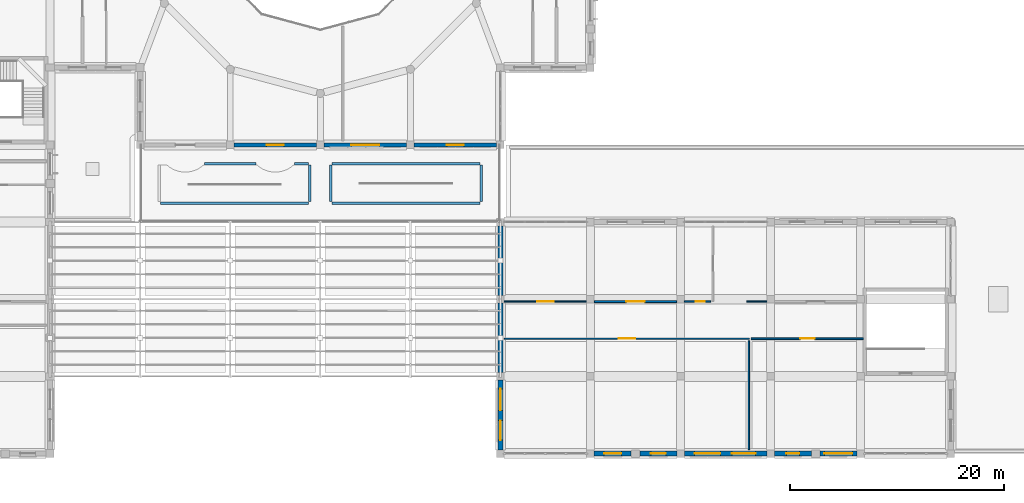
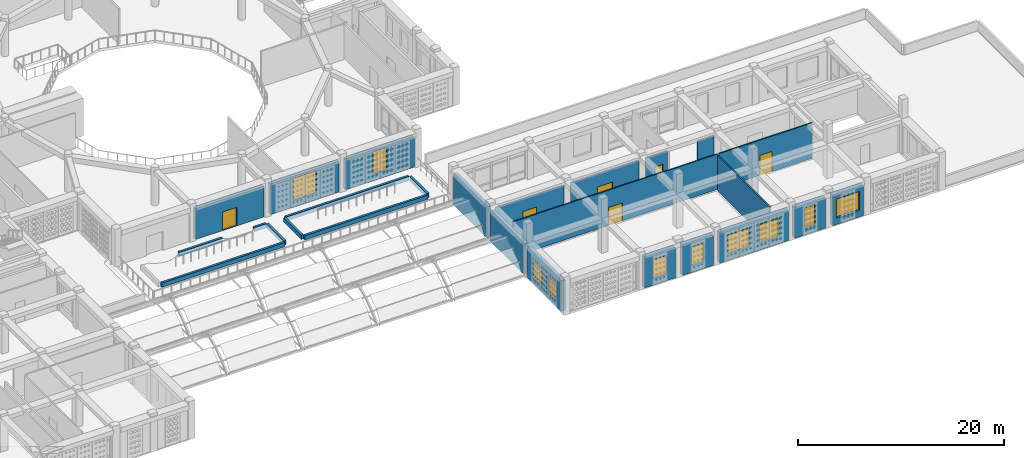
# One storey, part 58 of 100: 26 walls, 10 windows, 6 doors, 16 openings.
"""IFC4 building model written with IfcOpenShell, lengths in metres."""

from ifc_helpers import new_model, si_unit, derived_unit, direction, frame, frame_2d, origin, place, context, subcontext, project, spatial, rectangle, extrude, material, layer, layer_set, type_object, element, fill, save


model = new_model("IFC4")

# Units and contexts
model_context = context("Model", 3, precision=1e-05, world=origin(), true_north=direction((0.0, 1.0)))
body_context = subcontext(model_context, "Body", "Model", "MODEL_VIEW")
ifc_project = project(units=[si_unit("LENGTHUNIT", "METRE"), si_unit("AREAUNIT", "SQUARE_METRE"), si_unit("VOLUMEUNIT", "CUBIC_METRE"), si_unit("PLANEANGLEUNIT", "RADIAN"), si_unit("MASSUNIT", "GRAM", prefix="KILO"), derived_unit("THERMALTRANSMITTANCEUNIT", [(si_unit("POWERUNIT", "WATT"), 1), (si_unit("LENGTHUNIT", "METRE"), -2), (si_unit("THERMODYNAMICTEMPERATUREUNIT", "KELVIN"), -1)])], contexts=[model_context])

# Site, building, storey
site_placement = place(None, origin())
site = spatial("IfcSite", under=ifc_project, at=site_placement, CompositionType="ELEMENT")
building_placement = place(site_placement, origin())
building = spatial("IfcBuilding", under=site, at=building_placement, Name="Veybourne Emporium", CompositionType="ELEMENT")
storey_placement = place(building_placement, frame((0.0, 0.0, 14.39990234375)))
storey = spatial("IfcBuildingStorey", under=building, at=storey_placement, Name="L03", CompositionType="ELEMENT", Elevation=14.39990234375)

# Wall, openings, windows
ifc_material_1 = material(Name="Portland Limestone Ashlar", Category="masonry")
ifc_layer_1 = layer(ifc_material_1, 0.47998046875)
ifc_layer_set_1 = layer_set([ifc_layer_1], Name="Portland Limestone Ashlar")
wall_type_1 = type_object("IfcWallType", Name="ExtWall_EW-01", PredefinedType="SOLIDWALL", material=ifc_layer_set_1)
wall_1_placement = place(storey_placement, frame((92.39990234375, 0.35009765625, 0.0), z_axis=(0.0, 0.0, 1.0), x_axis=(0.0, 1.0, 0.0)))
wall_1 = element("IfcWall", 1, at=wall_1_placement, inside=storey, type_object=wall_type_1, Name="L03 Portland stone external wall 049", PredefinedType="SOLIDWALL", context=body_context, shape_type="SweptSolid", body=[
    extrude(rectangle(XDim=6.5, YDim=0.47998046875, at=frame_2d((3.25, 0.0))), origin(), (0.0, 0.0, 1.0), 3.630126953125),
])
opening_1_placement = place(wall_1_placement, frame((0.919921875, 0.0, 0.75)))
opening_1 = element("IfcOpeningElement", 2, at=opening_1_placement, cuts=wall_1, Name="Opening W-04", PredefinedType="OPENING", context=body_context, shape_type="SweptSolid", body=[
    extrude(rectangle(XDim=1.800048828125, YDim=1.89990234375, at=frame_2d((0.89990234375, 0.949951171875))), frame((0.0, 0.260009765625, 0.0), z_axis=(0.0, -1.0, 0.0), x_axis=(1.0, 0.0, 0.0)), (0.0, 0.0, 1.0), 0.52001953125),
])
opening_2_placement = place(wall_1_placement, frame((3.679931640625, 0.0, 0.75)))
opening_2 = element("IfcOpeningElement", 3, at=opening_2_placement, cuts=wall_1, Name="Opening W-05", PredefinedType="OPENING", context=body_context, shape_type="SweptSolid", body=[
    extrude(rectangle(XDim=2.0, YDim=1.89990234375, at=frame_2d((1.0, 0.949951171875))), frame((0.0, 0.260009765625, 0.0), z_axis=(0.0, -1.0, 0.0), x_axis=(1.0, 0.0, 0.0)), (0.0, 0.0, 1.0), 0.52001953125),
])
ifc_material_2 = material(Name="Low-E Triple Glazing", Category="glass")
window_type_1 = type_object("IfcWindowType", Name="Win_W-04", PartitioningType="DOUBLE_PANEL_VERTICAL", PredefinedType="WINDOW", material=ifc_material_2)
window_1_placement = place(opening_1_placement, origin())
window_1 = element("IfcWindow", 4, at=window_1_placement, inside=storey, type_object=window_type_1, Name="L03 tripartite bronze casement window W-04 (49.1)", OverallHeight=1.89990234375, OverallWidth=1.800048828125, PartitioningType="DOUBLE_PANEL_VERTICAL", PredefinedType="WINDOW", context=body_context, shape_type="SweptSolid", body=[
    extrude(rectangle(XDim=1.800048828125, YDim=1.89990234375, at=frame_2d((0.89990234375, 0.949951171875))), frame((0.0, 0.030029296875, 0.0), z_axis=(0.0, -1.0, 0.0), x_axis=(1.0, 0.0, 0.0)), (0.0, 0.0, 1.0), 0.06005859375),
])
fill(opening_1, window_1)
window_type_2 = type_object("IfcWindowType", Name="Win_W-05", PartitioningType="TRIPLE_PANEL_VERTICAL", PredefinedType="WINDOW", material=ifc_material_2)
window_2_placement = place(opening_2_placement, origin())
window_2 = element("IfcWindow", 5, at=window_2_placement, inside=storey, type_object=window_type_2, Name="L03 tripartite bronze casement window W-05 (49.2)", OverallHeight=1.89990234375, OverallWidth=2.0, PartitioningType="TRIPLE_PANEL_VERTICAL", PredefinedType="WINDOW", context=body_context, shape_type="SweptSolid", body=[
    extrude(rectangle(XDim=2.0, YDim=1.89990234375, at=frame_2d((1.0, 0.949951171875))), frame((0.0, 0.030029296875, 0.0), z_axis=(0.0, -1.0, 0.0), x_axis=(1.0, 0.0, 0.0)), (0.0, 0.0, 1.0), 0.06005859375),
])
fill(opening_2, window_2)

# Walls
for number, where, z_axis, x_axis, name in (
    (6, (92.39990234375, 7.550048828125, 0.0), (0.0, 0.0, 1.0), (0.0, 1.0, 0.0), "L03 Portland stone external wall 050"),
    (7, (92.39990234375, 14.75, 0.0), (0.0, 0.0, 1.0), (0.0, 1.0, 0.0), "L03 Portland stone external wall 052"),
):
    element("IfcWall", number, at=place(storey_placement, frame(where, z_axis=z_axis, x_axis=x_axis)), inside=storey, type_object=wall_type_1, Name=name, PredefinedType="SOLIDWALL", context=body_context, shape_type="SweptSolid", body=[
        extrude(rectangle(XDim=6.5, YDim=0.47998046875, at=frame_2d((3.25, 0.0))), origin(), (0.0, 0.0, 1.0), 3.630126953125),
    ])

# Wall, opening, window
wall_2_placement = place(storey_placement, frame((108.85009765625, 0.0, 0.0), z_axis=(0.0, 0.0, 1.0), x_axis=(-1.0, 0.0, 0.0)))
wall_2 = element("IfcWall", 8, at=wall_2_placement, inside=storey, type_object=wall_type_1, Name="L03 Portland stone external wall 060A", PredefinedType="SOLIDWALL", context=body_context, shape_type="SweptSolid", body=[
    extrude(rectangle(XDim=3.4501953125, YDim=0.47998046875, at=frame_2d((1.72509765625, 0.0))), origin(), (0.0, 0.0, 1.0), 3.630126953125),
])
opening_3_placement = place(wall_2_placement, frame((1.02490234375, 0.0, 0.75)))
opening_3 = element("IfcOpeningElement", 9, at=opening_3_placement, cuts=wall_2, Name="Opening W-18", PredefinedType="OPENING", context=body_context, shape_type="SweptSolid", body=[
    extrude(rectangle(XDim=1.39990234375, YDim=2.260009765625, at=frame_2d((0.699951171875, 1.1298828125))), frame((0.0, 0.260009765625, 0.0), z_axis=(0.0, -1.0, 0.0), x_axis=(1.0, 0.0, 0.0)), (0.0, 0.0, 1.0), 0.52001953125),
])
window_type_3 = type_object("IfcWindowType", Name="Win_W-18", PartitioningType="DOUBLE_PANEL_VERTICAL", PredefinedType="WINDOW", material=ifc_material_2)
window_3_placement = place(opening_3_placement, origin())
window_3 = element("IfcWindow", 10, at=window_3_placement, inside=storey, type_object=window_type_3, Name="L03 tripartite bronze casement window W-18 (60A)", OverallHeight=2.260009765625, OverallWidth=1.39990234375, PartitioningType="DOUBLE_PANEL_VERTICAL", PredefinedType="WINDOW", context=body_context, shape_type="SweptSolid", body=[
    extrude(rectangle(XDim=1.39990234375, YDim=2.260009765625, at=frame_2d((0.699951171875, 1.1298828125))), frame((0.0, 0.030029296875, 0.0), z_axis=(0.0, -1.0, 0.0), x_axis=(1.0, 0.0, 0.0)), (0.0, 0.0, 1.0), 0.06005859375),
])
fill(opening_3, window_3)

wall_3_placement = place(storey_placement, frame((104.60009765625, 0.0, 0.0), z_axis=(0.0, 0.0, 1.0), x_axis=(-1.0, 0.0, 0.0)))
wall_3 = element("IfcWall", 11, at=wall_3_placement, inside=storey, type_object=wall_type_1, Name="L03 Portland stone external wall 060B", PredefinedType="SOLIDWALL", context=body_context, shape_type="SweptSolid", body=[
    extrude(rectangle(XDim=3.4501953125, YDim=0.47998046875, at=frame_2d((1.72509765625, 0.0))), origin(), (0.0, 0.0, 1.0), 3.630126953125),
])
opening_4_placement = place(wall_3_placement, frame((0.925048828125, 0.0, 0.75)))
opening_4 = element("IfcOpeningElement", 12, at=opening_4_placement, cuts=wall_3, Name="Opening W-19", PredefinedType="OPENING", context=body_context, shape_type="SweptSolid", body=[
    extrude(rectangle(XDim=1.60009765625, YDim=2.260009765625, at=frame_2d((0.800048828125, 1.1298828125))), frame((0.0, 0.260009765625, 0.0), z_axis=(0.0, -1.0, 0.0), x_axis=(1.0, 0.0, 0.0)), (0.0, 0.0, 1.0), 0.52001953125),
])
window_type_4 = type_object("IfcWindowType", Name="Win_W-19", PartitioningType="DOUBLE_PANEL_VERTICAL", PredefinedType="WINDOW", material=ifc_material_2)
window_4_placement = place(opening_4_placement, origin())
window_4 = element("IfcWindow", 13, at=window_4_placement, inside=storey, type_object=window_type_4, Name="L03 tripartite bronze casement window W-19 (60B)", OverallHeight=2.260009765625, OverallWidth=1.60009765625, PartitioningType="DOUBLE_PANEL_VERTICAL", PredefinedType="WINDOW", context=body_context, shape_type="SweptSolid", body=[
    extrude(rectangle(XDim=1.60009765625, YDim=2.260009765625, at=frame_2d((0.800048828125, 1.1298828125))), frame((0.0, 0.030029296875, 0.0), z_axis=(0.0, -1.0, 0.0), x_axis=(1.0, 0.0, 0.0)), (0.0, 0.0, 1.0), 0.06005859375),
])
fill(opening_4, window_4)

# Wall, openings, windows
wall_4_placement = place(storey_placement, frame((117.25, 0.0, 0.0), z_axis=(0.0, 0.0, 1.0), x_axis=(-1.0, 0.0, 0.0)))
wall_4 = element("IfcWall", 14, at=wall_4_placement, inside=storey, type_object=wall_type_1, Name="L03 Portland stone external wall 062", PredefinedType="SOLIDWALL", context=body_context, shape_type="SweptSolid", body=[
    extrude(rectangle(XDim=7.699951171875, YDim=0.47998046875, at=frame_2d((3.85009765625, 0.0))), origin(), (0.0, 0.0, 1.0), 3.630126953125),
])
opening_5_placement = place(wall_4_placement, frame((1.055908203125, 0.0, 0.75)))
opening_5 = element("IfcOpeningElement", 15, at=opening_5_placement, cuts=wall_4, Name="Opening W-22", PredefinedType="OPENING", context=body_context, shape_type="SweptSolid", body=[
    extrude(rectangle(XDim=2.199951171875, YDim=2.260009765625, at=frame_2d((1.10009765625, 1.1298828125))), frame((0.0, 0.260009765625, 0.0), z_axis=(0.0, -1.0, 0.0), x_axis=(1.0, 0.0, 0.0)), (0.0, 0.0, 1.0), 0.52001953125),
])
opening_6_placement = place(wall_4_placement, frame((4.343994140625, 0.0, 0.75)))
opening_6 = element("IfcOpeningElement", 16, at=opening_6_placement, cuts=wall_4, Name="Opening W-23", PredefinedType="OPENING", context=body_context, shape_type="SweptSolid", body=[
    extrude(rectangle(XDim=2.39990234375, YDim=2.260009765625, at=frame_2d((1.199951171875, 1.1298828125))), frame((0.0, 0.260009765625, 0.0), z_axis=(0.0, -1.0, 0.0), x_axis=(1.0, 0.0, 0.0)), (0.0, 0.0, 1.0), 0.52001953125),
])
window_type_5 = type_object("IfcWindowType", Name="Win_W-22", PartitioningType="TRIPLE_PANEL_VERTICAL", PredefinedType="WINDOW", material=ifc_material_2)
window_5_placement = place(opening_5_placement, origin())
window_5 = element("IfcWindow", 17, at=window_5_placement, inside=storey, type_object=window_type_5, Name="L03 tripartite bronze casement window W-22 (62.1)", OverallHeight=2.260009765625, OverallWidth=2.199951171875, PartitioningType="TRIPLE_PANEL_VERTICAL", PredefinedType="WINDOW", context=body_context, shape_type="SweptSolid", body=[
    extrude(rectangle(XDim=2.199951171875, YDim=2.260009765625, at=frame_2d((1.10009765625, 1.1298828125))), frame((0.0, 0.030029296875, 0.0), z_axis=(0.0, -1.0, 0.0), x_axis=(1.0, 0.0, 0.0)), (0.0, 0.0, 1.0), 0.06005859375),
])
fill(opening_5, window_5)
window_type_6 = type_object("IfcWindowType", Name="Win_W-23", PartitioningType="TRIPLE_PANEL_VERTICAL", PredefinedType="WINDOW", material=ifc_material_2)
window_6_placement = place(opening_6_placement, origin())
window_6 = element("IfcWindow", 18, at=window_6_placement, inside=storey, type_object=window_type_6, Name="L03 tripartite bronze casement window W-23 (62.2)", OverallHeight=2.260009765625, OverallWidth=2.39990234375, PartitioningType="TRIPLE_PANEL_VERTICAL", PredefinedType="WINDOW", context=body_context, shape_type="SweptSolid", body=[
    extrude(rectangle(XDim=2.39990234375, YDim=2.260009765625, at=frame_2d((1.199951171875, 1.1298828125))), frame((0.0, 0.030029296875, 0.0), z_axis=(0.0, -1.0, 0.0), x_axis=(1.0, 0.0, 0.0)), (0.0, 0.0, 1.0), 0.06005859375),
])
fill(opening_6, window_6)

# Wall, opening, window
wall_5_placement = place(storey_placement, frame((125.64990234375, 0.0, 0.0), z_axis=(0.0, 0.0, 1.0), x_axis=(-1.0, 0.0, 0.0)))
wall_5 = element("IfcWall", 19, at=wall_5_placement, inside=storey, type_object=wall_type_1, Name="L03 Portland stone external wall 064A", PredefinedType="SOLIDWALL", context=body_context, shape_type="SweptSolid", body=[
    extrude(rectangle(XDim=3.449951171875, YDim=0.47998046875, at=frame_2d((1.72509765625, 0.0))), origin(), (0.0, 0.0, 1.0), 3.630126953125),
])
opening_7_placement = place(wall_5_placement, frame((0.425048828125, 0.0, 0.75)))
opening_7 = element("IfcOpeningElement", 20, at=opening_7_placement, cuts=wall_5, Name="Opening W-24", PredefinedType="OPENING", context=body_context, shape_type="SweptSolid", body=[
    extrude(rectangle(XDim=2.60009765625, YDim=2.260009765625, at=frame_2d((1.300048828125, 1.1298828125))), frame((0.0, 0.260009765625, 0.0), z_axis=(0.0, -1.0, 0.0), x_axis=(1.0, 0.0, 0.0)), (0.0, 0.0, 1.0), 0.52001953125),
])
window_type_7 = type_object("IfcWindowType", Name="Win_W-24", PartitioningType="TRIPLE_PANEL_VERTICAL", PredefinedType="WINDOW", material=ifc_material_2)
window_7_placement = place(opening_7_placement, origin())
window_7 = element("IfcWindow", 21, at=window_7_placement, inside=storey, type_object=window_type_7, Name="L03 tripartite bronze casement window W-24 (64A)", OverallHeight=2.260009765625, OverallWidth=2.60009765625, PartitioningType="TRIPLE_PANEL_VERTICAL", PredefinedType="WINDOW", context=body_context, shape_type="SweptSolid", body=[
    extrude(rectangle(XDim=2.60009765625, YDim=2.260009765625, at=frame_2d((1.300048828125, 1.1298828125))), frame((0.0, 0.030029296875, 0.0), z_axis=(0.0, -1.0, 0.0), x_axis=(1.0, 0.0, 0.0)), (0.0, 0.0, 1.0), 0.06005859375),
])
fill(opening_7, window_7)

wall_6_placement = place(storey_placement, frame((121.39990234375, 0.0, 0.0), z_axis=(0.0, 0.0, 1.0), x_axis=(-1.0, 0.0, 0.0)))
wall_6 = element("IfcWall", 22, at=wall_6_placement, inside=storey, type_object=wall_type_1, Name="L03 Portland stone external wall 064B", PredefinedType="SOLIDWALL", context=body_context, shape_type="SweptSolid", body=[
    extrude(rectangle(XDim=3.449951171875, YDim=0.47998046875, at=frame_2d((1.72509765625, 0.0))), origin(), (0.0, 0.0, 1.0), 3.630126953125),
])
opening_8_placement = place(wall_6_placement, frame((1.125, 0.0, 0.75)))
opening_8 = element("IfcOpeningElement", 23, at=opening_8_placement, cuts=wall_6, Name="Opening W-25", PredefinedType="OPENING", context=body_context, shape_type="SweptSolid", body=[
    extrude(rectangle(XDim=1.199951171875, YDim=2.43994140625, at=frame_2d((0.60009765625, 1.219970703125))), frame((0.0, 0.260009765625, 0.0), z_axis=(0.0, -1.0, 0.0), x_axis=(1.0, 0.0, 0.0)), (0.0, 0.0, 1.0), 0.52001953125),
])
window_type_8 = type_object("IfcWindowType", Name="Win_W-25", PartitioningType="SINGLE_PANEL", PredefinedType="WINDOW", material=ifc_material_2)
window_8_placement = place(opening_8_placement, origin())
window_8 = element("IfcWindow", 24, at=window_8_placement, inside=storey, type_object=window_type_8, Name="L03 tripartite bronze casement window W-25 (64B)", OverallHeight=2.43994140625, OverallWidth=1.199951171875, PartitioningType="SINGLE_PANEL", PredefinedType="WINDOW", context=body_context, shape_type="SweptSolid", body=[
    extrude(rectangle(XDim=1.199951171875, YDim=2.43994140625, at=frame_2d((0.60009765625, 1.219970703125))), frame((0.0, 0.030029296875, 0.0), z_axis=(0.0, -1.0, 0.0), x_axis=(1.0, 0.0, 0.0)), (0.0, 0.0, 1.0), 0.06005859375),
])
fill(opening_8, window_8)

# Wall, opening, door
ifc_layer_2 = layer(ifc_material_1, 0.3798828125)
ifc_layer_set_2 = layer_set([ifc_layer_2], Name="Portland Limestone Ashlar")
wall_type_2 = type_object("IfcWallType", Name="ExtWall_EW-03", PredefinedType="SOLIDWALL", material=ifc_layer_set_2)
wall_7_placement = place(storey_placement, frame((75.25, 28.800048828125, 0.0), z_axis=(0.0, 0.0, 1.0), x_axis=(-1.0, 0.0, 0.0)))
wall_7 = element("IfcWall", 25, at=wall_7_placement, inside=storey, type_object=wall_type_2, Name="L03 terrace facade wall 037", PredefinedType="SOLIDWALL", context=body_context, shape_type="SweptSolid", body=[
    extrude(rectangle(XDim=7.699951171875, YDim=0.3798828125, at=frame_2d((3.85009765625, 0.0))), origin(), (0.0, 0.0, 1.0), 3.630126953125),
])
opening_9_placement = place(wall_7_placement, frame((3.050048828125, 0.0, 0.0)))
opening_9 = element("IfcOpeningElement", 26, at=opening_9_placement, cuts=wall_7, Name="Opening TD-02", PredefinedType="OPENING", context=body_context, shape_type="SweptSolid", body=[
    extrude(rectangle(XDim=1.60009765625, YDim=2.199951171875, at=frame_2d((0.800048828125, 1.10009765625))), frame((0.0, 0.2099609375, 0.0), z_axis=(0.0, -1.0, 0.0), x_axis=(1.0, 0.0, 0.0)), (0.0, 0.0, 1.0), 0.419921875),
])
ifc_material_3 = material(Name="Patinated Architectural Bronze", Category="bronze")
door_type_1 = type_object("IfcDoorType", Name="TerrDoor_TD-02", OperationType="NOTDEFINED", PredefinedType="DOOR", material=ifc_material_3)
door_1_placement = place(opening_9_placement, origin())
door_1 = element("IfcDoor", 27, at=door_1_placement, inside=storey, type_object=door_type_1, Name="L03 roof-garden terrace door 02", OperationType="SINGLE_SWING_LEFT", OverallHeight=2.199951171875, OverallWidth=1.60009765625, PredefinedType="DOOR", context=body_context, shape_type="SweptSolid", body=[
    extrude(rectangle(XDim=1.60009765625, YDim=2.199951171875, at=frame_2d((0.800048828125, 1.10009765625))), frame((0.0, 0.02490234375, 0.0), z_axis=(0.0, -1.0, 0.0), x_axis=(1.0, 0.0, 0.0)), (0.0, 0.0, 1.0), 0.050048828125),
])
fill(opening_9, door_1)

# Wall, opening, window
wall_8_placement = place(storey_placement, frame((83.64990234375, 28.800048828125, 0.0), z_axis=(0.0, 0.0, 1.0), x_axis=(-1.0, 0.0, 0.0)))
wall_8 = element("IfcWall", 28, at=wall_8_placement, inside=storey, type_object=wall_type_2, Name="L03 terrace facade wall 039", PredefinedType="SOLIDWALL", context=body_context, shape_type="SweptSolid", body=[
    extrude(rectangle(XDim=7.699951171875, YDim=0.3798828125, at=frame_2d((3.85009765625, 0.0))), origin(), (0.0, 0.0, 1.0), 3.630126953125),
])
opening_10_placement = place(wall_8_placement, frame((2.550048828125, 0.0, 0.75)))
opening_10 = element("IfcOpeningElement", 29, at=opening_10_placement, cuts=wall_8, Name="Opening W-48", PredefinedType="OPENING", context=body_context, shape_type="SweptSolid", body=[
    extrude(rectangle(XDim=2.60009765625, YDim=2.679931640625, at=frame_2d((1.300048828125, 1.33984375))), frame((0.0, 0.2099609375, 0.0), z_axis=(0.0, -1.0, 0.0), x_axis=(1.0, 0.0, 0.0)), (0.0, 0.0, 1.0), 0.419921875),
])
window_type_9 = type_object("IfcWindowType", Name="Win_W-48", PartitioningType="TRIPLE_PANEL_VERTICAL", PredefinedType="WINDOW", material=ifc_material_2)
window_9_placement = place(opening_10_placement, origin())
window_9 = element("IfcWindow", 30, at=window_9_placement, inside=storey, type_object=window_type_9, Name="L03 terrace window 039", OverallHeight=2.679931640625, OverallWidth=2.60009765625, PartitioningType="TRIPLE_PANEL_VERTICAL", PredefinedType="WINDOW", context=body_context, shape_type="SweptSolid", body=[
    extrude(rectangle(XDim=2.60009765625, YDim=2.679931640625, at=frame_2d((1.300048828125, 1.33984375))), frame((0.0, 0.030029296875, 0.0), z_axis=(0.0, -1.0, 0.0), x_axis=(1.0, 0.0, 0.0)), (0.0, 0.0, 1.0), 0.06005859375),
])
fill(opening_10, window_9)

wall_9_placement = place(storey_placement, frame((92.050048828125, 28.800048828125, 0.0), z_axis=(0.0, 0.0, 1.0), x_axis=(-1.0, 0.0, 0.0)))
wall_9 = element("IfcWall", 31, at=wall_9_placement, inside=storey, type_object=wall_type_2, Name="L03 terrace facade wall 041", PredefinedType="SOLIDWALL", context=body_context, shape_type="SweptSolid", body=[
    extrude(rectangle(XDim=7.699951171875, YDim=0.3798828125, at=frame_2d((3.85009765625, 0.0))), origin(), (0.0, 0.0, 1.0), 3.630126953125),
])
opening_11_placement = place(wall_9_placement, frame((3.050048828125, 0.0, 0.75)))
opening_11 = element("IfcOpeningElement", 32, at=opening_11_placement, cuts=wall_9, Name="Opening W-51", PredefinedType="OPENING", context=body_context, shape_type="SweptSolid", body=[
    extrude(rectangle(XDim=1.60009765625, YDim=2.679931640625, at=frame_2d((0.800048828125, 1.33984375))), frame((0.0, 0.2099609375, 0.0), z_axis=(0.0, -1.0, 0.0), x_axis=(1.0, 0.0, 0.0)), (0.0, 0.0, 1.0), 0.419921875),
])
window_type_10 = type_object("IfcWindowType", Name="Win_W-51", PartitioningType="DOUBLE_PANEL_VERTICAL", PredefinedType="WINDOW", material=ifc_material_2)
window_10_placement = place(opening_11_placement, origin())
window_10 = element("IfcWindow", 33, at=window_10_placement, inside=storey, type_object=window_type_10, Name="L03 terrace window 041", OverallHeight=2.679931640625, OverallWidth=1.60009765625, PartitioningType="DOUBLE_PANEL_VERTICAL", PredefinedType="WINDOW", context=body_context, shape_type="SweptSolid", body=[
    extrude(rectangle(XDim=1.60009765625, YDim=2.679931640625, at=frame_2d((0.800048828125, 1.33984375))), frame((0.0, 0.030029296875, 0.0), z_axis=(0.0, -1.0, 0.0), x_axis=(1.0, 0.0, 0.0)), (0.0, 0.0, 1.0), 0.06005859375),
])
fill(opening_11, window_10)

# Walls
ifc_material_4 = material(Name="Precast concrete C40/50", Category="concrete")
ifc_layer_3 = layer(ifc_material_4, 0.239990234375)
ifc_layer_set_3 = layer_set([ifc_layer_3], Name="Precast concrete C40/50")
wall_type_3 = type_object("IfcWallType", Name="ExtWall_PW-02", PredefinedType="PARAPET", material=ifc_layer_set_3)
wall_10_placement = place(storey_placement, frame((64.778076171875, 27.030029296875, 0.0), z_axis=(0.0, 0.0, 1.0), x_axis=(1.0, 0.0, 0.0)))
element("IfcWall", 34, at=wall_10_placement, inside=storey, type_object=wall_type_3, Name="L03 planted roof-garden kerb 001", PredefinedType="PARAPET", context=body_context, shape_type="SweptSolid", body=[
    extrude(rectangle(XDim=4.84375, YDim=0.239990234375, at=frame_2d((2.421875, 0.0))), origin(), (0.0, 0.0, 1.0), 0.5),
])
wall_11_placement = place(storey_placement, frame((73.177978515625, 27.030029296875, 0.0), z_axis=(0.0, 0.0, 1.0), x_axis=(1.0, 0.0, 0.0)))
element("IfcWall", 35, at=wall_11_placement, inside=storey, type_object=wall_type_3, Name="L03 planted roof-garden kerb 002", PredefinedType="PARAPET", context=body_context, shape_type="SweptSolid", body=[
    extrude(rectangle(XDim=1.322021484375, YDim=0.239990234375, at=frame_2d((0.6611328125, 0.0))), origin(), (0.0, 0.0, 1.0), 0.5),
])
wall_12_placement = place(storey_placement, frame((74.6298828125, 26.89990234375, 0.0), z_axis=(0.0, 0.0, 1.0), x_axis=(0.0, -1.0, 0.0)))
element("IfcWall", 36, at=wall_12_placement, inside=storey, type_object=wall_type_3, Name="L03 planted roof-garden kerb 003", PredefinedType="PARAPET", context=body_context, shape_type="SweptSolid", body=[
    extrude(rectangle(XDim=3.39990234375, YDim=0.239990234375, at=frame_2d((1.699951171875, 0.0))), origin(), (0.0, 0.0, 1.0), 0.5),
])
wall_13_placement = place(storey_placement, frame((74.5, 23.3701171875, 0.0), z_axis=(0.0, 0.0, 1.0), x_axis=(-1.0, 0.0, 0.0)))
element("IfcWall", 37, at=wall_13_placement, inside=storey, type_object=wall_type_3, Name="L03 planted roof-garden kerb 004", PredefinedType="PARAPET", context=body_context, shape_type="SweptSolid", body=[
    extrude(rectangle(XDim=13.800048828125, YDim=0.239990234375, at=frame_2d((6.89990234375, 0.0))), origin(), (0.0, 0.0, 1.0), 0.5),
])
wall_14_placement = place(storey_placement, frame((90.6298828125, 26.89990234375, 0.0), z_axis=(0.0, 0.0, 1.0), x_axis=(0.0, -1.0, 0.0)))
element("IfcWall", 38, at=wall_14_placement, inside=storey, type_object=wall_type_3, Name="L03 planted roof-garden kerb 006", PredefinedType="PARAPET", context=body_context, shape_type="SweptSolid", body=[
    extrude(rectangle(XDim=3.39990234375, YDim=0.239990234375, at=frame_2d((1.699951171875, 0.0))), origin(), (0.0, 0.0, 1.0), 0.5),
])
wall_15_placement = place(storey_placement, frame((90.5, 23.3701171875, 0.0), z_axis=(0.0, 0.0, 1.0), x_axis=(-1.0, 0.0, 0.0)))
element("IfcWall", 39, at=wall_15_placement, inside=storey, type_object=wall_type_3, Name="L03 planted roof-garden kerb 007", PredefinedType="PARAPET", context=body_context, shape_type="SweptSolid", body=[
    extrude(rectangle(XDim=13.800048828125, YDim=0.239990234375, at=frame_2d((6.89990234375, 0.0))), origin(), (0.0, 0.0, 1.0), 0.5),
])
wall_16_placement = place(storey_placement, frame((76.570068359375, 23.5, 0.0), z_axis=(0.0, 0.0, 1.0), x_axis=(0.0, 1.0, 0.0)))
element("IfcWall", 40, at=wall_16_placement, inside=storey, type_object=wall_type_3, Name="L03 planted roof-garden kerb 008", PredefinedType="PARAPET", context=body_context, shape_type="SweptSolid", body=[
    extrude(rectangle(XDim=3.39990234375, YDim=0.239990234375, at=frame_2d((1.699951171875, 0.0))), origin(), (0.0, 0.0, 1.0), 0.5),
])
wall_17_placement = place(storey_placement, frame((76.699951171875, 27.030029296875, 0.0), z_axis=(0.0, 0.0, 1.0), x_axis=(1.0, 0.0, 0.0)))
element("IfcWall", 41, at=wall_17_placement, inside=storey, type_object=wall_type_3, Name="L03 planted roof-garden kerb 009", PredefinedType="PARAPET", context=body_context, shape_type="SweptSolid", body=[
    extrude(rectangle(XDim=13.800048828125, YDim=0.239990234375, at=frame_2d((6.89990234375, 0.0))), origin(), (0.0, 0.0, 1.0), 0.5),
])

# Wall, opening, door
ifc_material_5 = material(Name="Gypsum Acoustic Board", Category="gypsum")
ifc_layer_4 = layer(ifc_material_5, 0.179931640625)
ifc_layer_set_4 = layer_set([ifc_layer_4], Name="Gypsum Acoustic Board")
wall_type_4 = type_object("IfcWallType", Name="IntWall_IW-01", PredefinedType="PARTITIONING", material=ifc_layer_set_4)
wall_18_placement = place(storey_placement, frame((101.169921875, 14.179931640625, 0.0), z_axis=(0.0, 0.0, 1.0), x_axis=(1.0, 0.0, 0.0)))
wall_18 = element("IfcWall", 42, at=wall_18_placement, inside=storey, type_object=wall_type_4, Name="L03 interior partition IW-01 #008", PredefinedType="PARTITIONING", context=body_context, shape_type="SweptSolid", body=[
    extrude(rectangle(XDim=7.66015625, YDim=0.179931640625, at=frame_2d((3.830078125, 0.0))), origin(), (0.0, 0.0, 1.0), 3.72998046875),
])
opening_12_placement = place(wall_18_placement, frame((2.989990234375, 0.0, 0.0)))
opening_12 = element("IfcOpeningElement", 43, at=opening_12_placement, cuts=wall_18, Name="Opening D-18", PredefinedType="OPENING", context=body_context, shape_type="SweptSolid", body=[
    extrude(rectangle(XDim=1.679931640625, YDim=2.2099609375, at=frame_2d((0.83984375, 1.10498046875))), frame((0.0, 0.10986328125, 0.0), z_axis=(0.0, -1.0, 0.0), x_axis=(1.0, 0.0, 0.0)), (0.0, 0.0, 1.0), 0.219970703125),
])
ifc_material_6 = material(Name="European Oak Veneer and Bronze", Category="wood")
door_type_2 = type_object("IfcDoorType", Name="IntDoor_D-18", OperationType="DOUBLE_DOOR_SINGLE_SWING", PredefinedType="DOOR", material=ifc_material_6)
door_2_placement = place(opening_12_placement, origin())
door_2 = element("IfcDoor", 44, at=door_2_placement, inside=storey, type_object=door_type_2, Name="L03 interior door D-18 (PART-L03-008)", OperationType="DOUBLE_DOOR_SINGLE_SWING", OverallHeight=2.2099609375, OverallWidth=1.679931640625, PredefinedType="DOOR", context=body_context, shape_type="SweptSolid", body=[
    extrude(rectangle(XDim=1.679931640625, YDim=2.2099609375, at=frame_2d((0.83984375, 1.10498046875))), frame((0.0, 0.02490234375, 0.0), z_axis=(0.0, -1.0, 0.0), x_axis=(1.0, 0.0, 0.0)), (0.0, 0.0, 1.0), 0.050048828125),
])
fill(opening_12, door_2)

ifc_layer_5 = layer(ifc_material_5, 0.14990234375)
ifc_layer_set_5 = layer_set([ifc_layer_5], Name="Gypsum Acoustic Board")
wall_type_5 = type_object("IfcWallType", Name="IntWall_IW-02", PredefinedType="PARTITIONING", material=ifc_layer_set_5)
wall_19_placement = place(storey_placement, frame((109.570068359375, 14.179931640625, 0.0), z_axis=(0.0, 0.0, 1.0), x_axis=(1.0, 0.0, 0.0)))
wall_19 = element("IfcWall", 45, at=wall_19_placement, inside=storey, type_object=wall_type_5, Name="L03 interior partition IW-02 #009", PredefinedType="PARTITIONING", context=body_context, shape_type="SweptSolid", body=[
    extrude(rectangle(XDim=2.43994140625, YDim=0.14990234375, at=frame_2d((1.219970703125, 0.0))), origin(), (0.0, 0.0, 1.0), 3.72998046875),
])
opening_13_placement = place(wall_19_placement, frame((1.029541015625, 0.0, 0.0)))
opening_13 = element("IfcOpeningElement", 46, at=opening_13_placement, cuts=wall_19, Name="Opening D-19", PredefinedType="OPENING", context=body_context, shape_type="SweptSolid", body=[
    extrude(rectangle(XDim=0.8798828125, YDim=2.2900390625, at=frame_2d((0.43994140625, 1.14501953125))), frame((0.0, 0.094970703125, 0.0), z_axis=(0.0, -1.0, 0.0), x_axis=(1.0, 0.0, 0.0)), (0.0, 0.0, 1.0), 0.18994140625),
])
door_type_3 = type_object("IfcDoorType", Name="IntDoor_D-19", OperationType="NOTDEFINED", PredefinedType="DOOR", material=ifc_material_6)
door_3_placement = place(opening_13_placement, origin())
door_3 = element("IfcDoor", 47, at=door_3_placement, inside=storey, type_object=door_type_3, Name="L03 interior door D-19 (PART-L03-009)", OperationType="SINGLE_SWING_RIGHT", OverallHeight=2.2900390625, OverallWidth=0.8798828125, PredefinedType="DOOR", context=body_context, shape_type="SweptSolid", body=[
    extrude(rectangle(XDim=0.8798828125, YDim=2.2900390625, at=frame_2d((0.43994140625, 1.14501953125))), frame((0.0, 0.02490234375, 0.0), z_axis=(0.0, -1.0, 0.0), x_axis=(1.0, 0.0, 0.0)), (0.0, 0.0, 1.0), 0.050048828125),
])
fill(opening_13, door_3)

wall_20_placement = place(storey_placement, frame((115.7900390625, 10.719970703125, 0.0), z_axis=(0.0, 0.0, 1.0), x_axis=(1.0, 0.0, 0.0)))
wall_20 = element("IfcWall", 48, at=wall_20_placement, inside=storey, type_object=wall_type_5, Name="L03 interior partition IW-02 #054", PredefinedType="PARTITIONING", context=body_context, shape_type="SweptSolid", body=[
    extrude(rectangle(XDim=10.469970703125, YDim=0.14990234375, at=frame_2d((5.23486328125, 0.0))), origin(), (0.0, 0.0, 1.0), 4.18017578125),
])
opening_14_placement = place(wall_20_placement, frame((4.554931640625, 0.0, 0.0)))
opening_14 = element("IfcOpeningElement", 49, at=opening_14_placement, cuts=wall_20, Name="Opening D-28", PredefinedType="OPENING", context=body_context, shape_type="SweptSolid", body=[
    extrude(rectangle(XDim=1.360107421875, YDim=2.3701171875, at=frame_2d((0.68017578125, 1.18505859375))), frame((0.0, 0.094970703125, 0.0), z_axis=(0.0, -1.0, 0.0), x_axis=(1.0, 0.0, 0.0)), (0.0, 0.0, 1.0), 0.18994140625),
])
door_type_4 = type_object("IfcDoorType", Name="IntDoor_D-28", OperationType="NOTDEFINED", PredefinedType="DOOR", material=ifc_material_6)
door_4_placement = place(opening_14_placement, origin())
door_4 = element("IfcDoor", 50, at=door_4_placement, inside=storey, type_object=door_type_4, Name="L03 interior door D-28 (PART-L03-054)", OperationType="SINGLE_SWING_RIGHT", OverallHeight=2.3701171875, OverallWidth=1.360107421875, PredefinedType="DOOR", context=body_context, shape_type="SweptSolid", body=[
    extrude(rectangle(XDim=1.360107421875, YDim=2.3701171875, at=frame_2d((0.68017578125, 1.18505859375))), frame((0.0, 0.02490234375, 0.0), z_axis=(0.0, -1.0, 0.0), x_axis=(1.0, 0.0, 0.0)), (0.0, 0.0, 1.0), 0.050048828125),
])
fill(opening_14, door_4)

# Wall
wall_21_placement = place(storey_placement, frame((115.580078125, 0.3701171875, 0.0), z_axis=(0.0, 0.0, 1.0), x_axis=(0.0, 1.0, 0.0)))
element("IfcWall", 51, at=wall_21_placement, inside=storey, type_object=wall_type_5, Name="L03 interior partition IW-02 #132", PredefinedType="PARTITIONING", context=body_context, shape_type="SweptSolid", body=[
    extrude(rectangle(XDim=10.139892578125, YDim=0.14990234375, at=frame_2d((5.06982421875, 0.0))), origin(), (0.0, 0.0, 1.0), 4.18017578125),
])

# Wall, opening, door
ifc_layer_6 = layer(ifc_material_5, 0.1201171875)
ifc_layer_set_6 = layer_set([ifc_layer_6], Name="Gypsum Acoustic Board")
wall_type_6 = type_object("IfcWallType", Name="IntWall_IW-03", PredefinedType="PARTITIONING", material=ifc_layer_set_6)
wall_22_placement = place(storey_placement, frame((92.77001953125, 10.719970703125, 0.0), z_axis=(0.0, 0.0, 1.0), x_axis=(1.0, 0.0, 0.0)))
wall_22 = element("IfcWall", 52, at=wall_22_placement, inside=storey, type_object=wall_type_6, Name="L03 interior partition IW-03 #001", PredefinedType="PARTITIONING", context=body_context, shape_type="SweptSolid", body=[
    extrude(rectangle(XDim=22.85986328125, YDim=0.1201171875, at=frame_2d((11.429931640625, 0.0))), origin(), (0.0, 0.0, 1.0), 4.18017578125),
])
opening_15_placement = place(wall_22_placement, frame((10.669921875, 0.0, 0.0)))
opening_15 = element("IfcOpeningElement", 53, at=opening_15_placement, cuts=wall_22, Name="Opening D-11", PredefinedType="OPENING", context=body_context, shape_type="SweptSolid", body=[
    extrude(rectangle(XDim=1.52001953125, YDim=2.1298828125, at=frame_2d((0.760009765625, 1.06494140625))), frame((0.0, 0.080078125, 0.0), z_axis=(0.0, -1.0, 0.0), x_axis=(1.0, 0.0, 0.0)), (0.0, 0.0, 1.0), 0.16015625),
])
door_type_5 = type_object("IfcDoorType", Name="IntDoor_D-11", OperationType="NOTDEFINED", PredefinedType="DOOR", material=ifc_material_6)
door_5_placement = place(opening_15_placement, origin())
door_5 = element("IfcDoor", 54, at=door_5_placement, inside=storey, type_object=door_type_5, Name="L03 interior door D-11 (PART-L03-001)", OperationType="SINGLE_SWING_RIGHT", OverallHeight=2.1298828125, OverallWidth=1.52001953125, PredefinedType="DOOR", context=body_context, shape_type="SweptSolid", body=[
    extrude(rectangle(XDim=1.52001953125, YDim=2.1298828125, at=frame_2d((0.760009765625, 1.06494140625))), frame((0.0, 0.02490234375, 0.0), z_axis=(0.0, -1.0, 0.0), x_axis=(1.0, 0.0, 0.0)), (0.0, 0.0, 1.0), 0.050048828125),
])
fill(opening_15, door_5)

wall_23_placement = place(storey_placement, frame((92.77001953125, 14.179931640625, 0.0), z_axis=(0.0, 0.0, 1.0), x_axis=(1.0, 0.0, 0.0)))
wall_23 = element("IfcWall", 55, at=wall_23_placement, inside=storey, type_object=wall_type_6, Name="L03 interior partition IW-03 #007", PredefinedType="PARTITIONING", context=body_context, shape_type="SweptSolid", body=[
    extrude(rectangle(XDim=7.659912109375, YDim=0.1201171875, at=frame_2d((3.830078125, 0.0))), origin(), (0.0, 0.0, 1.0), 3.72998046875),
])
opening_16_placement = place(wall_23_placement, frame((3.070068359375, 0.0, 0.0)))
opening_16 = element("IfcOpeningElement", 56, at=opening_16_placement, cuts=wall_23, Name="Opening D-17", PredefinedType="OPENING", context=body_context, shape_type="SweptSolid", body=[
    extrude(rectangle(XDim=1.52001953125, YDim=2.2099609375, at=frame_2d((0.760009765625, 1.10498046875))), frame((0.0, 0.080078125, 0.0), z_axis=(0.0, -1.0, 0.0), x_axis=(1.0, 0.0, 0.0)), (0.0, 0.0, 1.0), 0.16015625),
])
door_type_6 = type_object("IfcDoorType", Name="IntDoor_D-17", OperationType="NOTDEFINED", PredefinedType="DOOR", material=ifc_material_6)
door_6_placement = place(opening_16_placement, origin())
door_6 = element("IfcDoor", 57, at=door_6_placement, inside=storey, type_object=door_type_6, Name="L03 interior door D-17 (PART-L03-007)", OperationType="SINGLE_SWING_LEFT", OverallHeight=2.2099609375, OverallWidth=1.52001953125, PredefinedType="DOOR", context=body_context, shape_type="SweptSolid", body=[
    extrude(rectangle(XDim=1.52001953125, YDim=2.2099609375, at=frame_2d((0.760009765625, 1.10498046875))), frame((0.0, 0.02490234375, 0.0), z_axis=(0.0, -1.0, 0.0), x_axis=(1.0, 0.0, 0.0)), (0.0, 0.0, 1.0), 0.050048828125),
])
fill(opening_16, door_6)

# Wall
wall_24_placement = place(storey_placement, frame((115.3701171875, 14.179931640625, 0.0), z_axis=(0.0, 0.0, 1.0), x_axis=(1.0, 0.0, 0.0)))
element("IfcWall", 58, at=wall_24_placement, inside=storey, type_object=wall_type_6, Name="L03 interior partition IW-03 #049", PredefinedType="PARTITIONING", context=body_context, shape_type="SweptSolid", body=[
    extrude(rectangle(XDim=1.85986328125, YDim=0.1201171875, at=frame_2d((0.929931640625, 0.0))), origin(), (0.0, 0.0, 1.0), 3.72998046875),
])

save(model, "model.ifc")
